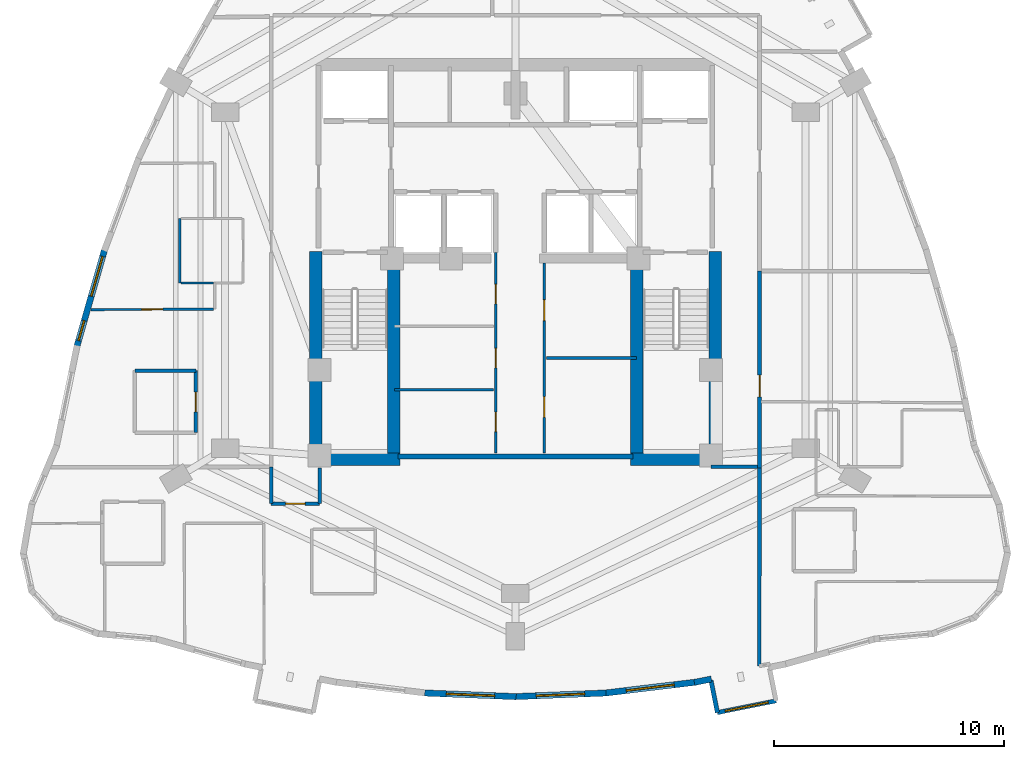
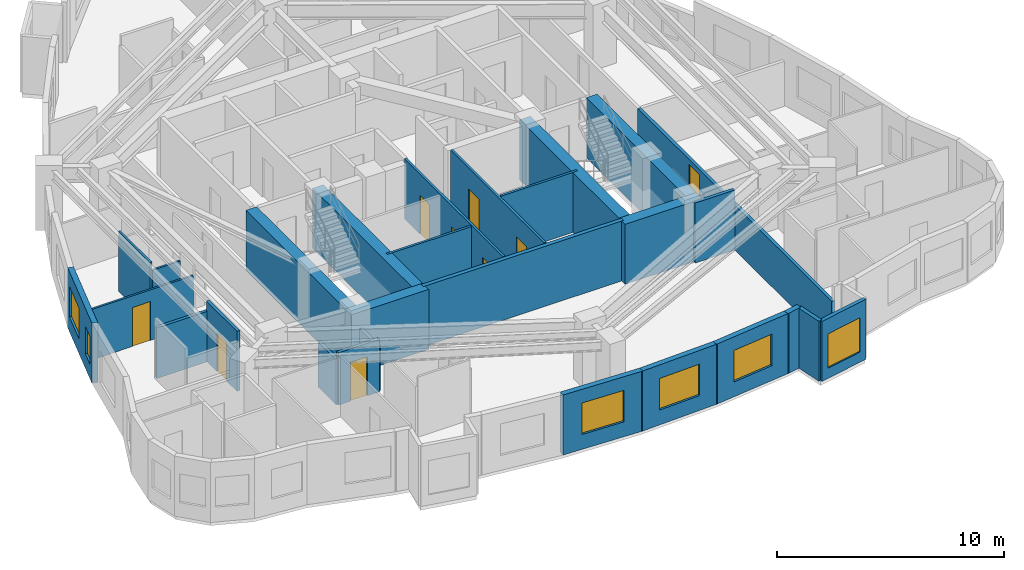
# One storey, part 6 of 11: 29 walls, 9 doors, 6 windows, 15 openings.
"""IFC4 building model written with IfcOpenShell, lengths in metres."""

from ifc_helpers import new_model, si_unit, direction, frame, frame_2d, origin, place, context, subcontext, project, spatial, rectangle, extrude, material, layer, layer_set, type_object, element, fill, save


model = new_model("IFC4")

# Units and contexts
model_context = context("Model", 3, precision=1e-05, world=origin(), true_north=direction((0.0, 1.0)))
body_context = subcontext(model_context, "Body", "Model", "MODEL_VIEW")
ifc_project = project(units=[si_unit("LENGTHUNIT", "METRE"), si_unit("AREAUNIT", "SQUARE_METRE"), si_unit("VOLUMEUNIT", "CUBIC_METRE"), si_unit("PLANEANGLEUNIT", "RADIAN"), si_unit("MASSUNIT", "GRAM", prefix="KILO")], contexts=[model_context])

# Site, building, storey
site_placement = place(None, origin())
site = spatial("IfcSite", under=ifc_project, at=site_placement, CompositionType="ELEMENT")
building_placement = place(site_placement, origin())
building = spatial("IfcBuilding", under=site, at=building_placement, Name="Miruveldt Soraemaru", CompositionType="ELEMENT")
storey_placement = place(building_placement, frame((0.0, 0.0, 159.89990234375)))
storey = spatial("IfcBuildingStorey", under=building, at=storey_placement, Name="L44", CompositionType="ELEMENT", Elevation=159.89990234375)

# Wall
ifc_material_1 = material(Name="White powder-coated aluminium EN AW-6060 T6", Category="aluminium")
ifc_layer_1 = layer(ifc_material_1, 0.18994140625, Name="White powder-coated aluminium EN AW-6060 T6", Category="aluminium")
ifc_layer_set_1 = layer_set([ifc_layer_1], Name="White powder-coated aluminium EN AW-6060 T6")
wall_type_1 = type_object("IfcWallType", Name="WALL-BAY-ALU190", PredefinedType="SOLIDWALL", material=ifc_layer_set_1)
wall_1_placement = place(storey_placement, frame((52.490234375, 25.728271484375, 0.0), z_axis=(0.0, 0.0, 1.0), x_axis=(0.196149079112, -0.980574086321, 0.0)))
element("IfcWall", 1, at=wall_1_placement, inside=storey, type_object=wall_type_1, Name="L44 Bay Window Side Cheek 2L", PredefinedType="SOLIDWALL", context=body_context, shape_type="SweptSolid", body=[
    extrude(rectangle(XDim=1.425048828125, YDim=0.18994140625, at=frame_2d((0.71240234375, 0.0))), origin(), (0.0, 0.0, 1.0), 3.235107421875),
])

# Wall, opening, window
wall_2_placement = place(storey_placement, frame((52.769775390625, 24.330810546875, 0.0), z_axis=(0.0, 0.0, 1.0), x_axis=(0.980569838849, 0.196170311564, 0.0)))
wall_2 = element("IfcWall", 2, at=wall_2_placement, inside=storey, type_object=wall_type_1, Name="L44 Bay Window Front Frame 2", PredefinedType="SOLIDWALL", context=body_context, shape_type="SweptSolid", body=[
    extrude(rectangle(XDim=2.599853515625, YDim=0.18994140625, at=frame_2d((1.2998046875, 0.0))), origin(), (0.0, 0.0, 1.0), 3.235107421875),
])
opening_1_placement = place(wall_2_placement, frame((0.35009765625, 0.0, 0.550048828125)))
opening_1 = element("IfcOpeningElement", 3, at=opening_1_placement, cuts=wall_2, Name="Opening WN-6", PredefinedType="OPENING", context=body_context, shape_type="SweptSolid", body=[
    extrude(rectangle(XDim=1.89990234375, YDim=1.85009765625, at=frame_2d((0.949951171875, 0.925048828125))), frame((0.0, 0.10498046875, 0.0), z_axis=(0.0, -1.0, 0.0), x_axis=(1.0, 0.0, 0.0)), (0.0, 0.0, 1.0), 0.2099609375),
])
ifc_material_2 = material(Name="Triple low-e insulated glazing", Category="glass")
window_type_1 = type_object("IfcWindowType", Name="WIN-BAYW-1900x1850", PartitioningType="SINGLE_PANEL", PredefinedType="WINDOW", material=ifc_material_2)
window_1_placement = place(opening_1_placement, origin())
window_1 = element("IfcWindow", 4, at=window_1_placement, inside=storey, type_object=window_type_1, Name="L44 Projecting Bay Window 2", OverallHeight=1.85009765625, OverallWidth=1.89990234375, PartitioningType="SINGLE_PANEL", PredefinedType="WINDOW", context=body_context, shape_type="SweptSolid", body=[
    extrude(rectangle(XDim=1.89990234375, YDim=1.85009765625, at=frame_2d((0.949951171875, 0.925048828125))), frame((0.0, 0.030029296875, 0.0), z_axis=(0.0, -1.0, 0.0), x_axis=(1.0, 0.0, 0.0)), (0.0, 0.0, 1.0), 0.06005859375),
])
fill(opening_1, window_1)

# Walls
ifc_material_3 = material(Name="Concrete C70/85 (70 MPa)", Category="concrete")
ifc_layer_2 = layer(ifc_material_3, 0.550048828125, Name="Concrete C70/85 (70 MPa)", Category="concrete")
ifc_layer_set_2 = layer_set([ifc_layer_2], Name="Concrete C70/85 (70 MPa)")
wall_type_2 = type_object("IfcWallType", Name="WALL-CW-550", PredefinedType="SHEAR", material=ifc_layer_set_2)
for number, where, z_axis, x_axis, name in (
    (5, (35.050048828125, 35.324951171875, 0.0), (0.0, 0.0, 1.0), (1.0, 0.0, 0.0), "L44 Central Core Shear Wall S1"),
    (6, (49.0, 35.324951171875, 0.0), (0.0, 0.0, 1.0), (1.0, 0.0, 0.0), "L44 Central Core Shear Wall S2"),
):
    element("IfcWall", number, at=place(storey_placement, frame(where, z_axis=z_axis, x_axis=x_axis)), inside=storey, type_object=wall_type_2, Name=name, PredefinedType="SHEAR", context=body_context, shape_type="SweptSolid", body=[
        extrude(rectangle(XDim=3.949951171875, YDim=0.550048828125, at=frame_2d((1.97509765625, 0.0))), origin(), (0.0, 0.0, 1.0), 3.235107421875),
    ])
for number, where, z_axis, x_axis, name in (
    (7, (35.324951171875, 35.050048828125, 0.0), (0.0, 0.0, 1.0), (0.0, 1.0, 0.0), "L44 Central Core Shear Wall W1"),
    (8, (52.675048828125, 35.050048828125, 0.0), (0.0, 0.0, 1.0), (0.0, 1.0, 0.0), "L44 Central Core Shear Wall E1"),
):
    element("IfcWall", number, at=place(storey_placement, frame(where, z_axis=z_axis, x_axis=x_axis)), inside=storey, type_object=wall_type_2, Name=name, PredefinedType="SHEAR", context=body_context, shape_type="SweptSolid", body=[
        extrude(rectangle(XDim=9.300048828125, YDim=0.550048828125, at=frame_2d((4.64990234375, 0.0))), origin(), (0.0, 0.0, 1.0), 3.235107421875),
    ])
for number, where, z_axis, x_axis, name in (
    (9, (38.72509765625, 35.39990234375, 0.0), (0.0, 0.0, 1.0), (0.0, 1.0, 0.0), "L44 Central Core Shear Wall SW-INT"),
    (10, (49.27490234375, 35.39990234375, 0.0), (0.0, 0.0, 1.0), (0.0, 1.0, 0.0), "L44 Central Core Shear Wall SE-INT"),
):
    element("IfcWall", number, at=place(storey_placement, frame(where, z_axis=z_axis, x_axis=x_axis)), inside=storey, type_object=wall_type_2, Name=name, PredefinedType="SHEAR", context=body_context, shape_type="SweptSolid", body=[
        extrude(rectangle(XDim=8.9501953125, YDim=0.550048828125, at=frame_2d((4.47509765625, 0.0))), origin(), (0.0, 0.0, 1.0), 3.235107421875),
    ])

# Wall, openings, windows
ifc_material_4 = material(Name="Precast concrete C45/55 (45 MPa)", Category="concrete")
ifc_layer_3 = layer(ifc_material_4, 0.27001953125, Name="Precast concrete C45/55 (45 MPa)", Category="concrete")
ifc_layer_set_3 = layer_set([ifc_layer_3], Name="Precast concrete C45/55 (45 MPa)")
wall_type_3 = type_object("IfcWallType", Name="WALL-EXT-PC270", PredefinedType="SOLIDWALL", material=ifc_layer_set_3)
wall_3_placement = place(storey_placement, frame((26.1669921875, 44.44140625, 0.0), z_axis=(0.0, 0.0, 1.0), x_axis=(-0.274962298685, -0.961455008985, 0.0)))
wall_3 = element("IfcWall", 11, at=wall_3_placement, inside=storey, type_object=wall_type_3, Name="L44 Precast Concrete Facade Wall 13", PredefinedType="SOLIDWALL", context=body_context, shape_type="SweptSolid", body=[
    extrude(rectangle(XDim=4.412109375, YDim=0.27001953125, at=frame_2d((2.2060546875, 0.0))), origin(), (0.0, 0.0, 1.0), 3.235107421875),
])
opening_2_placement = place(wall_3_placement, frame((0.320068359375, 0.0, 0.800048828125)))
opening_2 = element("IfcOpeningElement", 12, at=opening_2_placement, cuts=wall_3, Name="Opening WN-2", PredefinedType="OPENING", context=body_context, shape_type="SweptSolid", body=[
    extrude(rectangle(XDim=1.800048828125, YDim=1.64990234375, at=frame_2d((0.89990234375, 0.824951171875))), frame((0.0, 0.14501953125, 0.0), z_axis=(0.0, -1.0, 0.0), x_axis=(1.0, 0.0, 0.0)), (0.0, 0.0, 1.0), 0.2900390625),
])
opening_3_placement = place(wall_3_placement, frame((3.216064453125, 0.0, 0.780029296875)))
opening_3 = element("IfcOpeningElement", 13, at=opening_3_placement, cuts=wall_3, Name="Opening WN-7", PredefinedType="OPENING", context=body_context, shape_type="SweptSolid", body=[
    extrude(rectangle(XDim=0.89990234375, YDim=1.5, at=frame_2d((0.449951171875, 0.75))), frame((0.0, 0.14501953125, 0.0), z_axis=(0.0, -1.0, 0.0), x_axis=(1.0, 0.0, 0.0)), (0.0, 0.0, 1.0), 0.2900390625),
])
window_type_2 = type_object("IfcWindowType", Name="WIN-PUNCH-1800x1650", PartitioningType="SINGLE_PANEL", PredefinedType="WINDOW", material=ifc_material_2)
window_2_placement = place(opening_2_placement, origin())
window_2 = element("IfcWindow", 14, at=window_2_placement, inside=storey, type_object=window_type_2, Name="L44 Punched Triple-Glazed Window 13.1", OverallHeight=1.64990234375, OverallWidth=1.800048828125, PartitioningType="SINGLE_PANEL", PredefinedType="WINDOW", context=body_context, shape_type="SweptSolid", body=[
    extrude(rectangle(XDim=1.800048828125, YDim=1.64990234375, at=frame_2d((0.89990234375, 0.824951171875))), frame((0.0, 0.030029296875, 0.0), z_axis=(0.0, -1.0, 0.0), x_axis=(1.0, 0.0, 0.0)), (0.0, 0.0, 1.0), 0.06005859375),
])
fill(opening_2, window_2)
window_type_3 = type_object("IfcWindowType", Name="WIN-PUNCH-900x1500", PartitioningType="SINGLE_PANEL", PredefinedType="WINDOW", material=ifc_material_2)
window_3_placement = place(opening_3_placement, origin())
window_3 = element("IfcWindow", 15, at=window_3_placement, inside=storey, type_object=window_type_3, Name="L44 Punched Triple-Glazed Window 13.2", OverallHeight=1.5, OverallWidth=0.89990234375, PartitioningType="SINGLE_PANEL", PredefinedType="WINDOW", context=body_context, shape_type="SweptSolid", body=[
    extrude(rectangle(XDim=0.89990234375, YDim=1.5, at=frame_2d((0.449951171875, 0.75))), frame((0.0, 0.030029296875, 0.0), z_axis=(0.0, -1.0, 0.0), x_axis=(1.0, 0.0, 0.0)), (0.0, 0.0, 1.0), 0.06005859375),
])
fill(opening_3, window_3)

# Wall, opening, window
wall_4_placement = place(storey_placement, frame((40.063232421875, 25.18017578125, 0.0), z_axis=(0.0, 0.0, 1.0), x_axis=(0.999202723856, -0.039923885573, 0.0)))
wall_4 = element("IfcWall", 16, at=wall_4_placement, inside=storey, type_object=wall_type_3, Name="L44 Precast Concrete Facade Wall 24", PredefinedType="SOLIDWALL", context=body_context, shape_type="SweptSolid", body=[
    extrude(rectangle(XDim=3.974853515625, YDim=0.27001953125, at=frame_2d((1.9873046875, 0.0))), origin(), (0.0, 0.0, 1.0), 3.235107421875),
])
opening_4_placement = place(wall_4_placement, frame((0.93798828125, 0.0, 0.800048828125)))
opening_4 = element("IfcOpeningElement", 17, at=opening_4_placement, cuts=wall_4, Name="Opening WN-1", PredefinedType="OPENING", context=body_context, shape_type="SweptSolid", body=[
    extrude(rectangle(XDim=2.10009765625, YDim=1.699951171875, at=frame_2d((1.050048828125, 0.85009765625))), frame((0.0, 0.14501953125, 0.0), z_axis=(0.0, -1.0, 0.0), x_axis=(1.0, 0.0, 0.0)), (0.0, 0.0, 1.0), 0.2900390625),
])
window_type_4 = type_object("IfcWindowType", Name="WIN-PUNCH-2100x1700", PartitioningType="SINGLE_PANEL", PredefinedType="WINDOW", material=ifc_material_2)
window_4_placement = place(opening_4_placement, origin())
window_4 = element("IfcWindow", 18, at=window_4_placement, inside=storey, type_object=window_type_4, Name="L44 Punched Triple-Glazed Window 24.1", OverallHeight=1.699951171875, OverallWidth=2.10009765625, PartitioningType="SINGLE_PANEL", PredefinedType="WINDOW", context=body_context, shape_type="SweptSolid", body=[
    extrude(rectangle(XDim=2.10009765625, YDim=1.699951171875, at=frame_2d((1.050048828125, 0.85009765625))), frame((0.0, 0.030029296875, 0.0), z_axis=(0.0, -1.0, 0.0), x_axis=(1.0, 0.0, 0.0)), (0.0, 0.0, 1.0), 0.06005859375),
])
fill(opening_4, window_4)

wall_5_placement = place(storey_placement, frame((43.965087890625, 25.021484375, 0.0), z_axis=(0.0, 0.0, 1.0), x_axis=(0.999202723856, 0.039923885573, 0.0)))
wall_5 = element("IfcWall", 19, at=wall_5_placement, inside=storey, type_object=wall_type_3, Name="L44 Precast Concrete Facade Wall 25", PredefinedType="SOLIDWALL", context=body_context, shape_type="SweptSolid", body=[
    extrude(rectangle(XDim=3.974853515625, YDim=0.27001953125, at=frame_2d((1.9873046875, 0.0))), origin(), (0.0, 0.0, 1.0), 3.235107421875),
])
opening_5_placement = place(wall_5_placement, frame((0.93798828125, 0.0, 0.800048828125)))
opening_5 = element("IfcOpeningElement", 20, at=opening_5_placement, cuts=wall_5, Name="Opening WN-1", PredefinedType="OPENING", context=body_context, shape_type="SweptSolid", body=[
    extrude(rectangle(XDim=2.10009765625, YDim=1.699951171875, at=frame_2d((1.050048828125, 0.85009765625))), frame((0.0, 0.14501953125, 0.0), z_axis=(0.0, -1.0, 0.0), x_axis=(1.0, 0.0, 0.0)), (0.0, 0.0, 1.0), 0.2900390625),
])
window_5_placement = place(opening_5_placement, origin())
window_5 = element("IfcWindow", 21, at=window_5_placement, inside=storey, type_object=window_type_4, Name="L44 Punched Triple-Glazed Window 25.1", OverallHeight=1.699951171875, OverallWidth=2.10009765625, PartitioningType="SINGLE_PANEL", PredefinedType="WINDOW", context=body_context, shape_type="SweptSolid", body=[
    extrude(rectangle(XDim=2.10009765625, YDim=1.699951171875, at=frame_2d((1.050048828125, 0.85009765625))), frame((0.0, 0.030029296875, 0.0), z_axis=(0.0, -1.0, 0.0), x_axis=(1.0, 0.0, 0.0)), (0.0, 0.0, 1.0), 0.06005859375),
])
fill(opening_5, window_5)

wall_6_placement = place(storey_placement, frame((47.866943359375, 25.174560546875, 0.0), z_axis=(0.0, 0.0, 1.0), x_axis=(0.99287626081, 0.119150034495, 0.0)))
wall_6 = element("IfcWall", 22, at=wall_6_placement, inside=storey, type_object=wall_type_3, Name="L44 Precast Concrete Facade Wall 26", PredefinedType="SOLIDWALL", context=body_context, shape_type="SweptSolid", body=[
    extrude(rectangle(XDim=3.999755859375, YDim=0.27001953125, at=frame_2d((2.0, 0.0))), origin(), (0.0, 0.0, 1.0), 3.235107421875),
])
opening_6_placement = place(wall_6_placement, frame((0.949951171875, 0.0, 0.800048828125)))
opening_6 = element("IfcOpeningElement", 23, at=opening_6_placement, cuts=wall_6, Name="Opening WN-1", PredefinedType="OPENING", context=body_context, shape_type="SweptSolid", body=[
    extrude(rectangle(XDim=2.10009765625, YDim=1.699951171875, at=frame_2d((1.050048828125, 0.85009765625))), frame((0.0, 0.14501953125, 0.0), z_axis=(0.0, -1.0, 0.0), x_axis=(1.0, 0.0, 0.0)), (0.0, 0.0, 1.0), 0.2900390625),
])
window_6_placement = place(opening_6_placement, origin())
window_6 = element("IfcWindow", 24, at=window_6_placement, inside=storey, type_object=window_type_4, Name="L44 Punched Triple-Glazed Window 26.1", OverallHeight=1.699951171875, OverallWidth=2.10009765625, PartitioningType="SINGLE_PANEL", PredefinedType="WINDOW", context=body_context, shape_type="SweptSolid", body=[
    extrude(rectangle(XDim=2.10009765625, YDim=1.699951171875, at=frame_2d((1.050048828125, 0.85009765625))), frame((0.0, 0.030029296875, 0.0), z_axis=(0.0, -1.0, 0.0), x_axis=(1.0, 0.0, 0.0)), (0.0, 0.0, 1.0), 0.06005859375),
])
fill(opening_6, window_6)

# Wall
wall_7_placement = place(storey_placement, frame((51.76904296875, 25.64013671875, 0.0), z_axis=(0.0, 0.0, 1.0), x_axis=(0.980580675691, 0.196116135138, 0.0)))
element("IfcWall", 25, at=wall_7_placement, inside=storey, type_object=wall_type_3, Name="L44 Precast Pier Wall 27A", PredefinedType="SOLIDWALL", context=body_context, shape_type="SweptSolid", body=[
    extrude(rectangle(XDim=0.75439453125, YDim=0.27001953125, at=frame_2d((0.377197265625, 0.0))), origin(), (0.0, 0.0, 1.0), 3.235107421875),
])

# Wall, opening, door
ifc_material_5 = material(Name="Gypsum plasterboard lining", Category="gypsum")
ifc_layer_4 = layer(ifc_material_5, 0.10009765625, Name="Gypsum plasterboard lining", Category="gypsum")
ifc_layer_set_4 = layer_set([ifc_layer_4], Name="Gypsum plasterboard lining")
wall_type_4 = type_object("IfcWallType", Name="WALL-INT-P100", PredefinedType="PARTITIONING", material=ifc_layer_set_4)
wall_8_placement = place(storey_placement, frame((30.89990234375, 41.843017578125, 0.0), z_axis=(0.0, 0.0, 1.0), x_axis=(-0.999993607885, -0.003575498575, 0.0)))
wall_8 = element("IfcWall", 26, at=wall_8_placement, inside=storey, type_object=wall_type_4, Name="L44 Partition Wall 41", PredefinedType="PARTITIONING", context=body_context, shape_type="SweptSolid", body=[
    extrude(rectangle(XDim=5.325927734375, YDim=0.10009765625, at=frame_2d((2.6630859375, 0.0))), origin(), (0.0, 0.0, 1.0), 2.72314453125),
])
opening_7_placement = place(wall_8_placement, frame((2.202880859375, 0.0, 0.0)))
opening_7 = element("IfcOpeningElement", 27, at=opening_7_placement, cuts=wall_8, Name="Opening D3A", PredefinedType="OPENING", context=body_context, shape_type="SweptSolid", body=[
    extrude(rectangle(XDim=0.919921875, YDim=2.10009765625, at=frame_2d((0.4599609375, 1.050048828125))), frame((0.0, 0.06005859375, 0.0), z_axis=(0.0, -1.0, 0.0), x_axis=(1.0, 0.0, 0.0)), (0.0, 0.0, 1.0), 0.1201171875),
])
ifc_material_6 = material(Name="Anodised aluminium EN AW-6063 T6", Category="aluminium")
door_type_1 = type_object("IfcDoorType", Name="DOOR-INT-920", OperationType="NOTDEFINED", PredefinedType="DOOR", material=ifc_material_6)
door_1_placement = place(opening_7_placement, origin())
door_1 = element("IfcDoor", 28, at=door_1_placement, inside=storey, type_object=door_type_1, Name="L44 Unit 4403 BD1 Door", OperationType="SINGLE_SWING_RIGHT", OverallHeight=2.10009765625, OverallWidth=0.919921875, PredefinedType="DOOR", context=body_context, shape_type="SweptSolid", body=[
    extrude(rectangle(XDim=0.919921875, YDim=2.10009765625, at=frame_2d((0.4599609375, 1.050048828125))), frame((0.0, 0.02490234375, 0.0), z_axis=(0.0, -1.0, 0.0), x_axis=(1.0, 0.0, 0.0)), (0.0, 0.0, 1.0), 0.050048828125),
])
fill(opening_7, door_1)

# Walls
wall_9_placement = place(storey_placement, frame((29.427001953125, 45.781005859375, 0.0), z_axis=(0.0, 0.0, 1.0), x_axis=(0.0, -1.0, 0.0)))
element("IfcWall", 29, at=wall_9_placement, inside=storey, type_object=wall_type_4, Name="L44 Partition Wall 44", PredefinedType="PARTITIONING", context=body_context, shape_type="SweptSolid", body=[
    extrude(rectangle(XDim=2.800048828125, YDim=0.10009765625, at=frame_2d((1.39990234375, 0.0))), origin(), (0.0, 0.0, 1.0), 3.235107421875),
])
wall_10_placement = place(storey_placement, frame((29.47705078125, 42.98095703125, 0.0), z_axis=(0.0, 0.0, 1.0), x_axis=(1.0, 0.0, 0.0)))
element("IfcWall", 30, at=wall_10_placement, inside=storey, type_object=wall_type_4, Name="L44 Partition Wall 45", PredefinedType="PARTITIONING", context=body_context, shape_type="SweptSolid", body=[
    extrude(rectangle(XDim=1.4228515625, YDim=0.10009765625, at=frame_2d((0.71142578125, 0.0))), origin(), (0.0, 0.0, 1.0), 2.822998046875),
])

# Wall, openings, doors
ifc_layer_5 = layer(ifc_material_5, 0.1201171875, Name="Gypsum plasterboard lining", Category="gypsum")
ifc_layer_set_5 = layer_set([ifc_layer_5], Name="Gypsum plasterboard lining")
wall_type_5 = type_object("IfcWallType", Name="WALL-INT-P120", PredefinedType="PARTITIONING", material=ifc_layer_set_5)
wall_11_placement = place(storey_placement, frame((43.14990234375, 35.60009765625, 0.0), z_axis=(0.0, 0.0, 1.0), x_axis=(0.0, 1.0, 0.0)))
wall_11 = element("IfcWall", 31, at=wall_11_placement, inside=storey, type_object=wall_type_5, Name="L44 Core Compartment Wall SP-WL", PredefinedType="PARTITIONING", context=body_context, shape_type="SweptSolid", body=[
    extrude(rectangle(XDim=8.699951171875, YDim=0.1201171875, at=frame_2d((4.35009765625, 0.0))), origin(), (0.0, 0.0, 1.0), 3.235107421875),
])
opening_8_placement = place(wall_11_placement, frame((0.925048828125, 0.0, 0.0)))
opening_8 = element("IfcOpeningElement", 32, at=opening_8_placement, cuts=wall_11, Name="Opening FD3", PredefinedType="OPENING", context=body_context, shape_type="SweptSolid", body=[
    extrude(rectangle(XDim=0.85009765625, YDim=2.10009765625, at=frame_2d((0.425048828125, 1.050048828125))), frame((0.0, 0.070068359375, 0.0), z_axis=(0.0, -1.0, 0.0), x_axis=(1.0, 0.0, 0.0)), (0.0, 0.0, 1.0), 0.14013671875),
])
opening_9_placement = place(wall_11_placement, frame((3.695068359375, 0.0, 0.0)))
opening_9 = element("IfcOpeningElement", 33, at=opening_9_placement, cuts=wall_11, Name="Opening FD3", PredefinedType="OPENING", context=body_context, shape_type="SweptSolid", body=[
    extrude(rectangle(XDim=0.85009765625, YDim=2.10009765625, at=frame_2d((0.425048828125, 1.050048828125))), frame((0.0, 0.070068359375, 0.0), z_axis=(0.0, -1.0, 0.0), x_axis=(1.0, 0.0, 0.0)), (0.0, 0.0, 1.0), 0.14013671875),
])
opening_10_placement = place(wall_11_placement, frame((6.47509765625, 0.0, 0.0)))
opening_10 = element("IfcOpeningElement", 34, at=opening_10_placement, cuts=wall_11, Name="Opening FD3", PredefinedType="OPENING", context=body_context, shape_type="SweptSolid", body=[
    extrude(rectangle(XDim=0.85009765625, YDim=2.10009765625, at=frame_2d((0.425048828125, 1.050048828125))), frame((0.0, 0.070068359375, 0.0), z_axis=(0.0, -1.0, 0.0), x_axis=(1.0, 0.0, 0.0)), (0.0, 0.0, 1.0), 0.14013671875),
])
door_type_2 = type_object("IfcDoorType", Name="DOOR-FD3-850", OperationType="NOTDEFINED", PredefinedType="DOOR", material=ifc_material_6)
door_2_placement = place(opening_8_placement, origin())
door_2 = element("IfcDoor", 35, at=door_2_placement, inside=storey, type_object=door_type_2, Name="L44 Fire Door", OperationType="SINGLE_SWING_LEFT", OverallHeight=2.10009765625, OverallWidth=0.85009765625, PredefinedType="DOOR", context=body_context, shape_type="SweptSolid", body=[
    extrude(rectangle(XDim=0.85009765625, YDim=2.10009765625, at=frame_2d((0.425048828125, 1.050048828125))), frame((0.0, 0.02490234375, 0.0), z_axis=(0.0, -1.0, 0.0), x_axis=(1.0, 0.0, 0.0)), (0.0, 0.0, 1.0), 0.050048828125),
])
fill(opening_8, door_2)
door_3_placement = place(opening_9_placement, origin())
door_3 = element("IfcDoor", 36, at=door_3_placement, inside=storey, type_object=door_type_2, Name="L44 Fire Door", OperationType="SINGLE_SWING_LEFT", OverallHeight=2.10009765625, OverallWidth=0.85009765625, PredefinedType="DOOR", context=body_context, shape_type="SweptSolid", body=[
    extrude(rectangle(XDim=0.85009765625, YDim=2.10009765625, at=frame_2d((0.425048828125, 1.050048828125))), frame((0.0, 0.02490234375, 0.0), z_axis=(0.0, -1.0, 0.0), x_axis=(1.0, 0.0, 0.0)), (0.0, 0.0, 1.0), 0.050048828125),
])
fill(opening_9, door_3)
door_4_placement = place(opening_10_placement, origin())
door_4 = element("IfcDoor", 37, at=door_4_placement, inside=storey, type_object=door_type_2, Name="L44 Fire Door", OperationType="SINGLE_SWING_LEFT", OverallHeight=2.10009765625, OverallWidth=0.85009765625, PredefinedType="DOOR", context=body_context, shape_type="SweptSolid", body=[
    extrude(rectangle(XDim=0.85009765625, YDim=2.10009765625, at=frame_2d((0.425048828125, 1.050048828125))), frame((0.0, 0.02490234375, 0.0), z_axis=(0.0, -1.0, 0.0), x_axis=(1.0, 0.0, 0.0)), (0.0, 0.0, 1.0), 0.050048828125),
])
fill(opening_10, door_4)

wall_12_placement = place(storey_placement, frame((45.25, 35.60009765625, 0.0), z_axis=(0.0, 0.0, 1.0), x_axis=(0.0, 1.0, 0.0)))
wall_12 = element("IfcWall", 38, at=wall_12_placement, inside=storey, type_object=wall_type_5, Name="L44 Core Compartment Wall SP-EL", PredefinedType="PARTITIONING", context=body_context, shape_type="SweptSolid", body=[
    extrude(rectangle(XDim=8.25, YDim=0.1201171875, at=frame_2d((4.125, 0.0))), origin(), (0.0, 0.0, 1.0), 3.235107421875),
])
opening_11_placement = place(wall_12_placement, frame((1.550048828125, 0.0, 0.0)))
opening_11 = element("IfcOpeningElement", 39, at=opening_11_placement, cuts=wall_12, Name="Opening D3", PredefinedType="OPENING", context=body_context, shape_type="SweptSolid", body=[
    extrude(rectangle(XDim=0.89990234375, YDim=2.10009765625, at=frame_2d((0.449951171875, 1.050048828125))), frame((0.0, 0.070068359375, 0.0), z_axis=(0.0, -1.0, 0.0), x_axis=(1.0, 0.0, 0.0)), (0.0, 0.0, 1.0), 0.14013671875),
])
opening_12_placement = place(wall_12_placement, frame((5.75, 0.0, 0.0)))
opening_12 = element("IfcOpeningElement", 40, at=opening_12_placement, cuts=wall_12, Name="Opening D3", PredefinedType="OPENING", context=body_context, shape_type="SweptSolid", body=[
    extrude(rectangle(XDim=0.89990234375, YDim=2.10009765625, at=frame_2d((0.449951171875, 1.050048828125))), frame((0.0, 0.070068359375, 0.0), z_axis=(0.0, -1.0, 0.0), x_axis=(1.0, 0.0, 0.0)), (0.0, 0.0, 1.0), 0.14013671875),
])
door_type_3 = type_object("IfcDoorType", Name="DOOR-INT-900", OperationType="NOTDEFINED", PredefinedType="DOOR", material=ifc_material_6)
door_5_placement = place(opening_11_placement, origin())
door_5 = element("IfcDoor", 41, at=door_5_placement, inside=storey, type_object=door_type_3, Name="L44 Fire Door", OperationType="SINGLE_SWING_LEFT", OverallHeight=2.10009765625, OverallWidth=0.89990234375, PredefinedType="DOOR", context=body_context, shape_type="SweptSolid", body=[
    extrude(rectangle(XDim=0.89990234375, YDim=2.10009765625, at=frame_2d((0.449951171875, 1.050048828125))), frame((0.0, 0.02490234375, 0.0), z_axis=(0.0, -1.0, 0.0), x_axis=(1.0, 0.0, 0.0)), (0.0, 0.0, 1.0), 0.050048828125),
])
fill(opening_11, door_5)
door_6_placement = place(opening_12_placement, origin())
door_6 = element("IfcDoor", 42, at=door_6_placement, inside=storey, type_object=door_type_3, Name="L44 Fire Door", OperationType="SINGLE_SWING_LEFT", OverallHeight=2.10009765625, OverallWidth=0.89990234375, PredefinedType="DOOR", context=body_context, shape_type="SweptSolid", body=[
    extrude(rectangle(XDim=0.89990234375, YDim=2.10009765625, at=frame_2d((0.449951171875, 1.050048828125))), frame((0.0, 0.02490234375, 0.0), z_axis=(0.0, -1.0, 0.0), x_axis=(1.0, 0.0, 0.0)), (0.0, 0.0, 1.0), 0.050048828125),
])
fill(opening_12, door_6)

# Walls
wall_13_placement = place(storey_placement, frame((38.75, 38.35009765625, 0.0), z_axis=(0.0, 0.0, 1.0), x_axis=(1.0, 0.0, 0.0)))
element("IfcWall", 43, at=wall_13_placement, inside=storey, type_object=wall_type_5, Name="L44 Core Compartment Wall RL-W3A", PredefinedType="PARTITIONING", context=body_context, shape_type="SweptSolid", body=[
    extrude(rectangle(XDim=4.300048828125, YDim=0.1201171875, at=frame_2d((2.14990234375, 0.0))), origin(), (0.0, 0.0, 1.0), 3.235107421875),
])
wall_14_placement = place(storey_placement, frame((45.35009765625, 39.719970703125, 0.0), z_axis=(0.0, 0.0, 1.0), x_axis=(1.0, 0.0, 0.0)))
element("IfcWall", 44, at=wall_14_placement, inside=storey, type_object=wall_type_5, Name="L44 Core Compartment Wall RL-E3H", PredefinedType="PARTITIONING", context=body_context, shape_type="SweptSolid", body=[
    extrude(rectangle(XDim=3.89990234375, YDim=0.1201171875, at=frame_2d((1.949951171875, 0.0))), origin(), (0.0, 0.0, 1.0), 3.235107421875),
])

# Wall, opening, door
ifc_layer_6 = layer(ifc_material_5, 0.14990234375, Name="Gypsum plasterboard lining", Category="gypsum")
ifc_layer_set_6 = layer_set([ifc_layer_6], Name="Gypsum plasterboard lining")
wall_type_6 = type_object("IfcWallType", Name="WALL-INT-PLUMB", PredefinedType="PLUMBINGWALL", material=ifc_layer_set_6)
wall_15_placement = place(storey_placement, frame((30.126953125, 36.48095703125, 0.0), z_axis=(0.0, 0.0, 1.0), x_axis=(0.0, 1.0, 0.0)))
wall_15 = element("IfcWall", 45, at=wall_15_placement, inside=storey, type_object=wall_type_6, Name="L44 Partition Wall 31", PredefinedType="PLUMBINGWALL", context=body_context, shape_type="SweptSolid", body=[
    extrude(rectangle(XDim=2.699951171875, YDim=0.14990234375, at=frame_2d((1.35009765625, 0.0))), origin(), (0.0, 0.0, 1.0), 3.235107421875),
])
opening_13_placement = place(wall_15_placement, frame((0.909912109375, 0.0, 0.0)))
opening_13 = element("IfcOpeningElement", 46, at=opening_13_placement, cuts=wall_15, Name="Opening FD3", PredefinedType="OPENING", context=body_context, shape_type="SweptSolid", body=[
    extrude(rectangle(XDim=0.85009765625, YDim=2.10009765625, at=frame_2d((0.425048828125, 1.050048828125))), frame((0.0, 0.0849609375, 0.0), z_axis=(0.0, -1.0, 0.0), x_axis=(1.0, 0.0, 0.0)), (0.0, 0.0, 1.0), 0.169921875),
])
door_7_placement = place(opening_13_placement, origin())
door_7 = element("IfcDoor", 47, at=door_7_placement, inside=storey, type_object=door_type_2, Name="L44 Unit 4403 BTH Door", OperationType="SINGLE_SWING_RIGHT", OverallHeight=2.10009765625, OverallWidth=0.85009765625, PredefinedType="DOOR", context=body_context, shape_type="SweptSolid", body=[
    extrude(rectangle(XDim=0.85009765625, YDim=2.10009765625, at=frame_2d((0.425048828125, 1.050048828125))), frame((0.0, 0.02490234375, 0.0), z_axis=(0.0, -1.0, 0.0), x_axis=(1.0, 0.0, 0.0)), (0.0, 0.0, 1.0), 0.050048828125),
])
fill(opening_13, door_7)

# Wall
wall_16_placement = place(storey_placement, frame((30.126953125, 39.180908203125, 0.0), z_axis=(0.0, 0.0, 1.0), x_axis=(-1.0, 0.0, 0.0)))
element("IfcWall", 48, at=wall_16_placement, inside=storey, type_object=wall_type_6, Name="L44 Partition Wall 32", PredefinedType="PLUMBINGWALL", context=body_context, shape_type="SweptSolid", body=[
    extrude(rectangle(XDim=2.64990234375, YDim=0.14990234375, at=frame_2d((1.324951171875, 0.0))), origin(), (0.0, 0.0, 1.0), 2.72314453125),
])

# Wall, opening, door
ifc_material_7 = material(Name="Concrete C40/50 (40 MPa)", Category="concrete")
ifc_layer_7 = layer(ifc_material_7, 0.159912109375, Name="Concrete C40/50 (40 MPa)", Category="concrete")
ifc_layer_set_7 = layer_set([ifc_layer_7], Name="Concrete C40/50 (40 MPa)")
wall_type_7 = type_object("IfcWallType", Name="WALL-INT-RC160", PredefinedType="SOLIDWALL", material=ifc_layer_set_7)
wall_17_placement = place(storey_placement, frame((54.60009765625, 34.9599609375, 0.0), z_axis=(0.0, 0.0, 1.0), x_axis=(0.0, 1.0, 0.0)))
wall_17 = element("IfcWall", 49, at=wall_17_placement, inside=storey, type_object=wall_type_7, Name="L44 Partition Wall 6", PredefinedType="SOLIDWALL", context=body_context, shape_type="SweptSolid", body=[
    extrude(rectangle(XDim=8.537109375, YDim=0.159912109375, at=frame_2d((4.2685546875, 0.0))), origin(), (0.0, 0.0, 1.0), 2.423095703125),
])
opening_14_placement = place(wall_17_placement, frame((3.072998046875, 0.0, 0.0)))
opening_14 = element("IfcOpeningElement", 50, at=opening_14_placement, cuts=wall_17, Name="Opening FD2", PredefinedType="OPENING", context=body_context, shape_type="SweptSolid", body=[
    extrude(rectangle(XDim=0.949951171875, YDim=2.14990234375, at=frame_2d((0.47509765625, 1.074951171875))), frame((0.0, 0.08984375, 0.0), z_axis=(0.0, -1.0, 0.0), x_axis=(1.0, 0.0, 0.0)), (0.0, 0.0, 1.0), 0.179931640625),
])
door_type_4 = type_object("IfcDoorType", Name="DOOR-FD2-950", OperationType="NOTDEFINED", PredefinedType="DOOR", material=ifc_material_6)
door_8_placement = place(opening_14_placement, origin())
door_8 = element("IfcDoor", 51, at=door_8_placement, inside=storey, type_object=door_type_4, Name="L44 Unit 4405 Entrance Fire Door", OperationType="SINGLE_SWING_RIGHT", OverallHeight=2.14990234375, OverallWidth=0.949951171875, PredefinedType="DOOR", context=body_context, shape_type="SweptSolid", body=[
    extrude(rectangle(XDim=0.949951171875, YDim=2.14990234375, at=frame_2d((0.47509765625, 1.074951171875))), frame((0.0, 0.02490234375, 0.0), z_axis=(0.0, -1.0, 0.0), x_axis=(1.0, 0.0, 0.0)), (0.0, 0.0, 1.0), 0.050048828125),
])
fill(opening_14, door_8)

wall_18_placement = place(storey_placement, frame((33.39990234375, 33.39990234375, 0.0), z_axis=(0.0, 0.0, 1.0), x_axis=(1.0, 0.0, 0.0)))
wall_18 = element("IfcWall", 52, at=wall_18_placement, inside=storey, type_object=wall_type_7, Name="L44 Partition Wall 8", PredefinedType="SOLIDWALL", context=body_context, shape_type="SweptSolid", body=[
    extrude(rectangle(XDim=2.10009765625, YDim=0.159912109375, at=frame_2d((1.050048828125, 0.0))), origin(), (0.0, 0.0, 1.0), 2.822998046875),
])
opening_15_placement = place(wall_18_placement, frame((0.6201171875, 0.0, 0.0)))
opening_15 = element("IfcOpeningElement", 53, at=opening_15_placement, cuts=wall_18, Name="Opening FD3", PredefinedType="OPENING", context=body_context, shape_type="SweptSolid", body=[
    extrude(rectangle(XDim=0.85009765625, YDim=2.10009765625, at=frame_2d((0.425048828125, 1.050048828125))), frame((0.0, 0.08984375, 0.0), z_axis=(0.0, -1.0, 0.0), x_axis=(1.0, 0.0, 0.0)), (0.0, 0.0, 1.0), 0.179931640625),
])
door_9_placement = place(opening_15_placement, origin())
door_9 = element("IfcDoor", 54, at=door_9_placement, inside=storey, type_object=door_type_2, Name="L44 Unit 4406 Entrance Fire Door", OperationType="SINGLE_SWING_LEFT", OverallHeight=2.10009765625, OverallWidth=0.85009765625, PredefinedType="DOOR", context=body_context, shape_type="SweptSolid", body=[
    extrude(rectangle(XDim=0.85009765625, YDim=2.10009765625, at=frame_2d((0.425048828125, 1.050048828125))), frame((0.0, 0.02490234375, 0.0), z_axis=(0.0, -1.0, 0.0), x_axis=(1.0, 0.0, 0.0)), (0.0, 0.0, 1.0), 0.050048828125),
])
fill(opening_15, door_9)

# Walls
wall_19_placement = place(storey_placement, frame((54.60009765625, 34.99609375, 0.0), z_axis=(0.0, 0.0, 1.0), x_axis=(-0.001526025466, -0.999998835622, 0.0)))
element("IfcWall", 55, at=wall_19_placement, inside=storey, type_object=wall_type_7, Name="L44 Partition Wall 58", PredefinedType="SOLIDWALL", context=body_context, shape_type="SweptSolid", body=[
    extrude(rectangle(XDim=8.63916015625, YDim=0.159912109375, at=frame_2d((4.319580078125, 0.0))), origin(), (0.0, 0.0, 1.0), 2.423095703125),
])
wall_20_placement = place(storey_placement, frame((52.49609375, 35.0, 0.0), z_axis=(0.0, 0.0, 1.0), x_axis=(1.0, 0.0, 0.0)))
element("IfcWall", 56, at=wall_20_placement, inside=storey, type_object=wall_type_7, Name="L44 Partition Wall 10", PredefinedType="SOLIDWALL", context=body_context, shape_type="SweptSolid", body=[
    extrude(rectangle(XDim=2.02001953125, YDim=0.159912109375, at=frame_2d((1.010009765625, 0.0))), origin(), (0.0, 0.0, 1.0), 3.235107421875),
])
wall_21_placement = place(storey_placement, frame((33.39990234375, 34.9951171875, 0.0), z_axis=(0.0, 0.0, 1.0), x_axis=(0.0, -1.0, 0.0)))
element("IfcWall", 57, at=wall_21_placement, inside=storey, type_object=wall_type_7, Name="L44 Partition Wall 7", PredefinedType="SOLIDWALL", context=body_context, shape_type="SweptSolid", body=[
    extrude(rectangle(XDim=1.59521484375, YDim=0.159912109375, at=frame_2d((0.797607421875, 0.0))), origin(), (0.0, 0.0, 1.0), 2.423095703125),
])
wall_22_placement = place(storey_placement, frame((35.5, 33.39990234375, 0.0), z_axis=(0.0, 0.0, 1.0), x_axis=(0.0, 1.0, 0.0)))
element("IfcWall", 58, at=wall_22_placement, inside=storey, type_object=wall_type_7, Name="L44 Partition Wall 9", PredefinedType="SOLIDWALL", context=body_context, shape_type="SweptSolid", body=[
    extrude(rectangle(XDim=1.545166015625, YDim=0.159912109375, at=frame_2d((0.7724609375, 0.0))), origin(), (0.0, 0.0, 1.0), 2.423095703125),
])
ifc_layer_8 = layer(ifc_material_7, 0.199951171875, Name="Concrete C40/50 (40 MPa)", Category="concrete")
ifc_layer_set_8 = layer_set([ifc_layer_8], Name="Concrete C40/50 (40 MPa)")
wall_type_8 = type_object("IfcWallType", Name="WALL-INT-RC200", PredefinedType="SOLIDWALL", material=ifc_layer_set_8)
wall_23_placement = place(storey_placement, frame((38.89990234375, 35.449951171875, 0.0), z_axis=(0.0, 0.0, 1.0), x_axis=(1.0, 0.0, 0.0)))
element("IfcWall", 59, at=wall_23_placement, inside=storey, type_object=wall_type_8, Name="L44 Core Compartment Wall CS-S", PredefinedType="SOLIDWALL", context=body_context, shape_type="SweptSolid", body=[
    extrude(rectangle(XDim=10.2001953125, YDim=0.199951171875, at=frame_2d((5.10009765625, 0.0))), origin(), (0.0, 0.0, 1.0), 3.235107421875),
])

save(model, "model.ifc")
